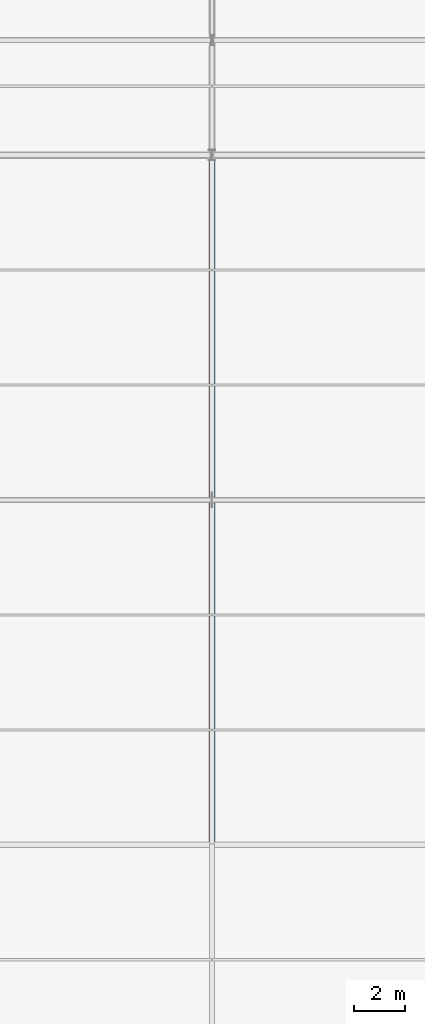
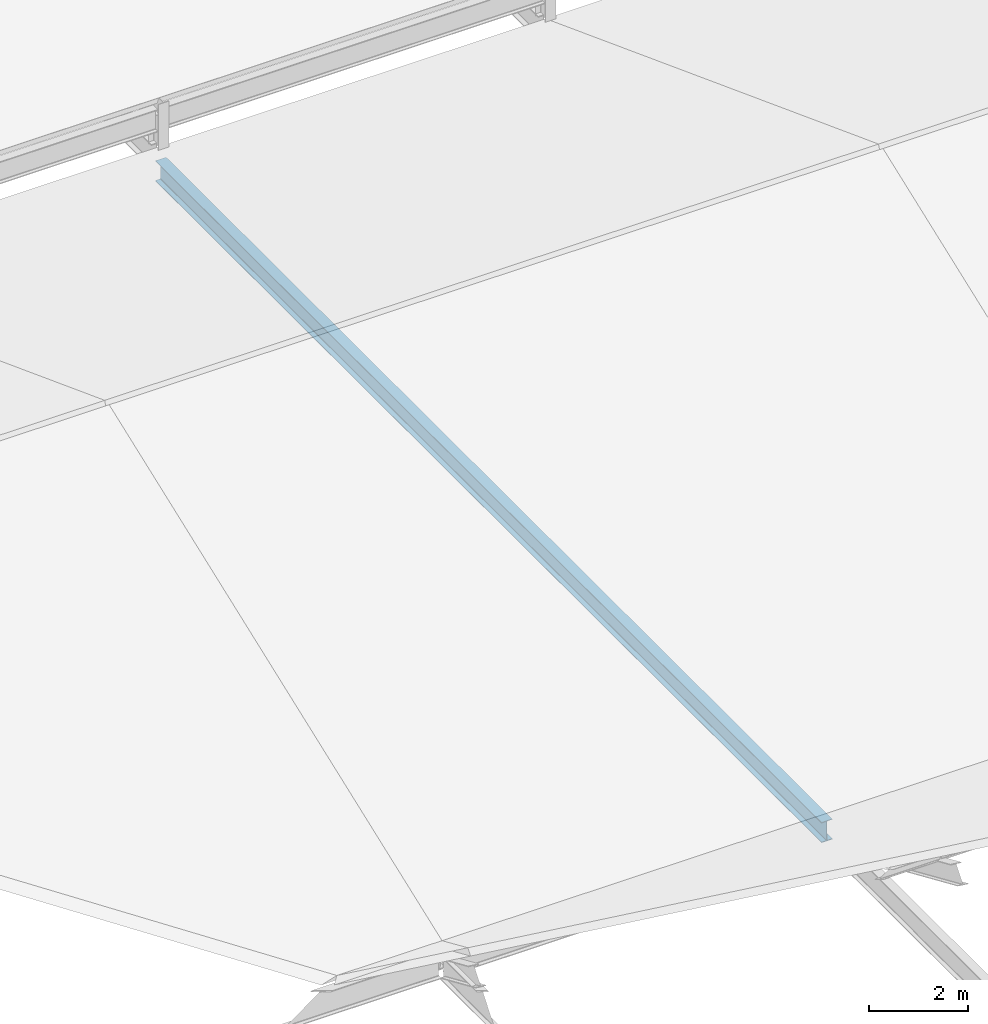
# One storey, part 33 of 163: 1 beam.
"""IFC4 building model written with IfcOpenShell, lengths in metres."""

from ifc_helpers import new_model, si_unit, direction, frame, origin, origin_2d, place, context, subcontext, project, spatial, i_section, extrude, material, material_profile, profile_set, type_object, element, save


model = new_model("IFC4")

# Units and contexts
model_context = context("Model", 3, precision=1e-05, world=origin(), true_north=direction((0.0, 1.0)))
body_context = subcontext(model_context, "Body", "Model", "MODEL_VIEW")
ifc_project = project(units=[si_unit("LENGTHUNIT", "METRE"), si_unit("AREAUNIT", "SQUARE_METRE"), si_unit("VOLUMEUNIT", "CUBIC_METRE"), si_unit("PLANEANGLEUNIT", "RADIAN"), si_unit("MASSUNIT", "GRAM", prefix="KILO")], contexts=[model_context])

# Site, building, storey
site_placement = place(None, origin())
site = spatial("IfcSite", under=ifc_project, at=site_placement, CompositionType="ELEMENT")
building_placement = place(site_placement, origin())
building = spatial("IfcBuilding", under=site, at=building_placement, Name="Tharagai Park Tramway Depot", CompositionType="ELEMENT")
storey_placement = place(building_placement, frame((0.0, 0.0, 8.39990234375)))
storey = spatial("IfcBuildingStorey", under=building, at=storey_placement, Name="L02", CompositionType="ELEMENT", Elevation=8.39990234375)

# Beam
ifc_material = material(Name="Steel E350", Category="steel")
ifc_material_profile = material_profile(ifc_material, i_section(OverallWidth=0.25, OverallDepth=0.5, WebThickness=0.010009765625, FlangeThickness=0.0146484375, FilletRadius=0.014892578125, at=origin_2d()), Name="ISWB 500")
ifc_profile_set = profile_set([ifc_material_profile], Name="Steel E350")
beam_type = type_object("IfcBeamType", Name="BM-08", PredefinedType="BEAM", material=ifc_profile_set)
beam_placement = place(storey_placement, frame((27.0, 63.080078125, -0.5), z_axis=(0.0, 1.0, 0.0), x_axis=(-1.0, 0.0, 0.0)))
element("IfcBeam", 1, at=beam_placement, inside=storey, type_object=beam_type, Name="V2B Gable Tie Girder BM-08", PredefinedType="BEAM", context=body_context, shape_type="SweptSolid", body=[
    extrude(i_section(OverallWidth=0.25, OverallDepth=0.5, WebThickness=0.010009765625, FlangeThickness=0.0146484375, FilletRadius=0.014892578125, at=origin_2d()), origin(), (0.0, 0.0, 1.0), 26.83984375),
])

save(model, "model.ifc")
